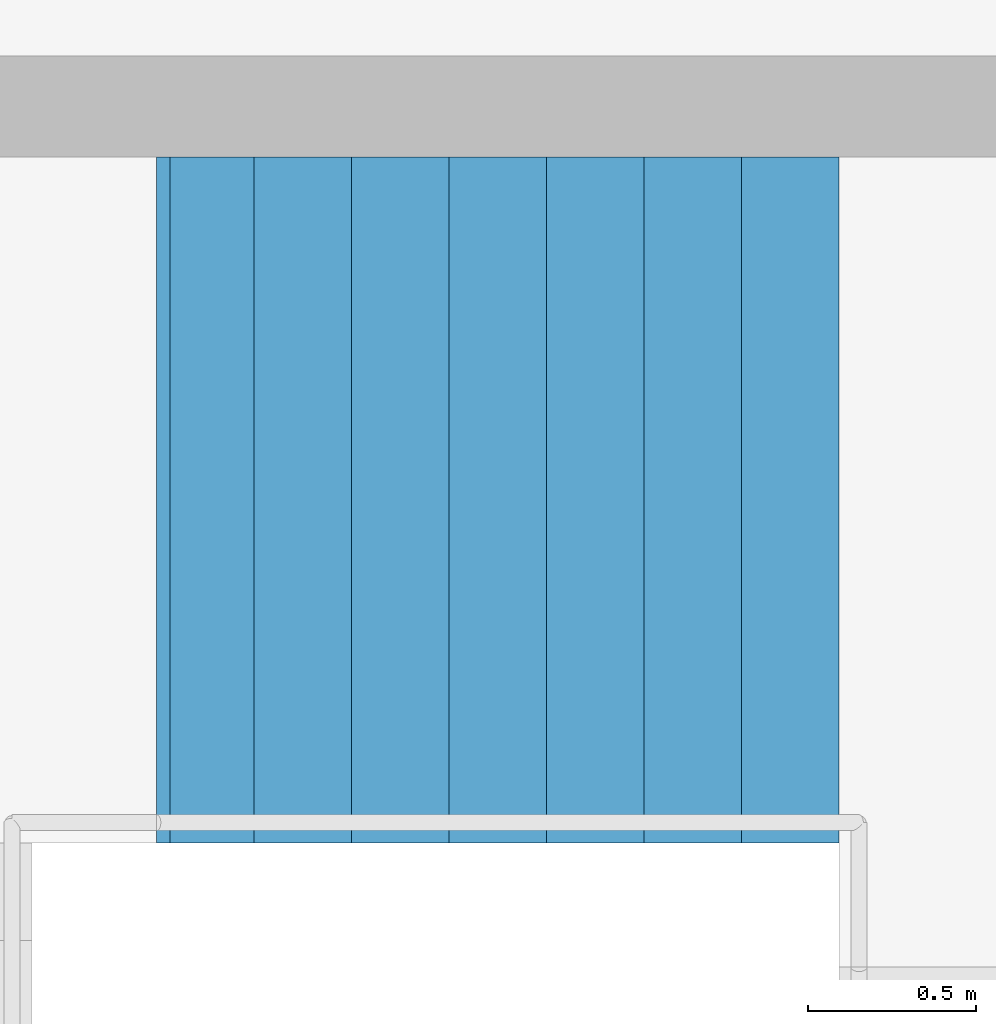
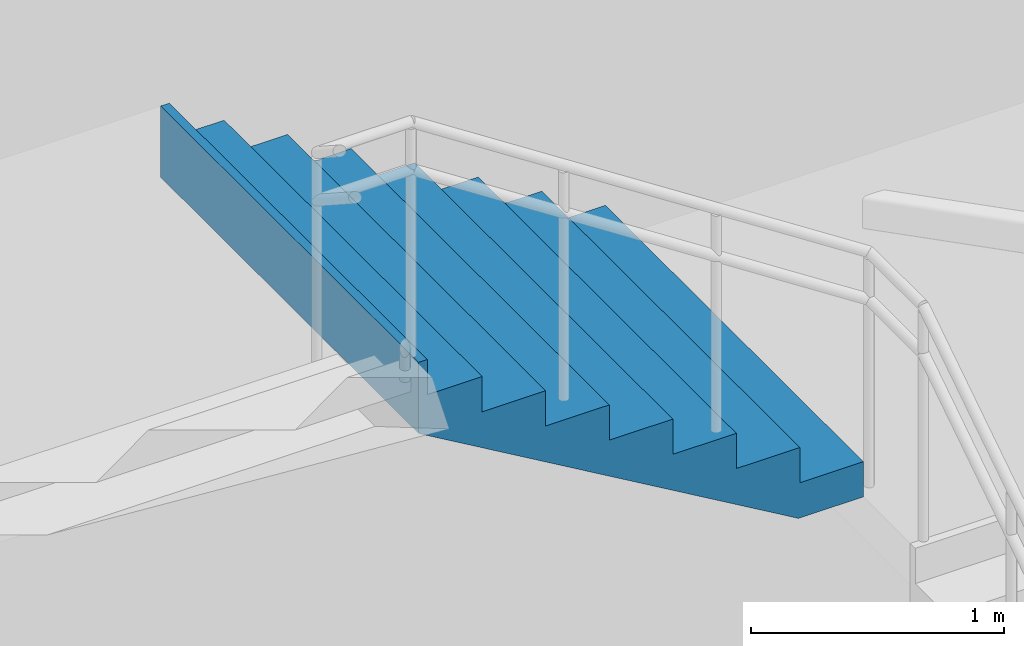
# One storey, part 38 of 50: 1 stair flight, 1 element without a shape of its own.
"""IFC4 building model written with IfcOpenShell, lengths in metres."""

from ifc_helpers import new_model, si_unit, direction, frame, origin, place, context, subcontext, project, spatial, triangles, material, type_object, element, aggregate, save


model = new_model("IFC4")

# Units and contexts
model_context = context("Model", 3, precision=1e-05, world=origin(), true_north=direction((0.0, 1.0)))
body_context = subcontext(model_context, "Body", "Model", "MODEL_VIEW")
ifc_project = project(units=[si_unit("LENGTHUNIT", "METRE"), si_unit("AREAUNIT", "SQUARE_METRE"), si_unit("VOLUMEUNIT", "CUBIC_METRE"), si_unit("PLANEANGLEUNIT", "RADIAN"), si_unit("MASSUNIT", "GRAM", prefix="KILO")], contexts=[model_context])

# Site, building, storey
site_placement = place(None, origin())
site = spatial("IfcSite", under=ifc_project, at=site_placement, CompositionType="ELEMENT")
building_placement = place(site_placement, origin())
building = spatial("IfcBuilding", under=site, at=building_placement, Name="Sillaruma Civic Art Gallery", CompositionType="ELEMENT")
storey_placement = place(building_placement, origin())
storey = spatial("IfcBuildingStorey", under=building, at=storey_placement, Name="L00", CompositionType="ELEMENT", Elevation=0.0)

# Stair, stair flight
ifc_material = material(Name="Concrete H35 (35 MPa)", Category="concrete")
stair_type = type_object("IfcStairType", Name="STR-4F-32", PredefinedType="USERDEFINED", material=ifc_material)
stair_placement = place(storey_placement, origin())
stair = element("IfcStair", 1, at=stair_placement, inside=storey, type_object=stair_type, Name="Protected Exit Stair ST-01 (West Wing) (L00)", ObjectType="THREE_RETURN_STAIR", PredefinedType="USERDEFINED")
stair_flight_type = type_object("IfcStairFlightType", Name="SFL-STR-8", PredefinedType="STRAIGHT", material=ifc_material)
stair_flight_placement = place(storey_placement, frame((30.0, 106.159912109375, 2.719970703125), z_axis=(0.0, 0.0, 1.0), x_axis=(-1.0, 0.0, 0.0)))
stair_flight = element("IfcStairFlight", 2, at=stair_flight_placement, type_object=stair_flight_type, Name="ST-01 flight 3", NumberOfRisers=8, NumberOfTreads=7, PredefinedType="STRAIGHT", RiserHeight=0.17, TreadLength=0.29, context=body_context, shape_type="Tessellation", body=[
    triangles([(0.0, -1.02001953125, 0.0), (0.29, -1.02001953125, 0.0), (0.296443, -1.02001953125, 0.0), (0.58, -1.02001953125, 0.166223), (0.87, -1.02001953125, 0.336223), (1.16, -1.02001953125, 0.506223), (1.45, -1.02001953125, 0.676223), (1.74, -1.02001953125, 0.846223), (1.990029, -1.02001953125, 0.992792), (2.030029, -1.02001953125, 1.01624), (2.030029, -1.02001953125, 1.36), (1.990029, -1.02001953125, 1.36), (1.990029, -1.02001953125, 1.19), (1.74, -1.02001953125, 1.19), (1.74, -1.02001953125, 1.02), (1.45, -1.02001953125, 1.02), (1.45, -1.02001953125, 0.85), (1.16, -1.02001953125, 0.85), (1.16, -1.02001953125, 0.68), (0.87, -1.02001953125, 0.68), (0.87, -1.02001953125, 0.51), (0.58, -1.02001953125, 0.51), (0.58, -1.02001953125, 0.34), (0.296443, -1.02001953125, 0.34), (0.29, -1.02001953125, 0.34), (0.29, -1.02001953125, 0.17), (0.0, -1.02001953125, 0.17), (0.0, -0.05, 0.0), (0.29, -0.05, 0.0), (0.296443, -0.05, 0.0), (0.58, -0.05, 0.166223), (0.87, -0.05, 0.336223), (1.16, -0.05, 0.506223), (1.45, -0.05, 0.676223), (1.74, -0.05, 0.846223), (1.990029, -0.05, 0.992792), (2.030029, -0.05, 1.01624), (2.030029, -0.05, 1.36), (1.990029, -0.05, 1.36), (1.990029, -0.05, 1.19), (1.74, -0.05, 1.19), (1.74, -0.05, 1.02), (1.45, -0.05, 1.02), (1.45, -0.05, 0.85), (1.16, -0.05, 0.85), (1.16, -0.05, 0.68), (0.87, -0.05, 0.68), (0.87, -0.05, 0.51), (0.58, -0.05, 0.51), (0.58, -0.05, 0.34), (0.296443, -0.05, 0.34), (0.29, -0.05, 0.34), (0.29, -0.05, 0.17), (0.0, -0.05, 0.17), (0.0, -0.0375, 0.0), (0.29, -0.0375, 0.0), (0.296443, -0.0375, 0.0), (0.58, -0.0375, 0.166223), (0.87, -0.0375, 0.336223), (1.16, -0.0375, 0.506223), (1.45, -0.0375, 0.676223), (1.74, -0.0375, 0.846223), (1.990029, -0.0375, 0.992792), (2.030029, -0.0375, 1.01624), (2.030029, -0.0375, 1.36), (1.990029, -0.0375, 1.36), (1.990029, -0.0375, 1.19), (1.74, -0.0375, 1.19), (1.74, -0.0375, 1.02), (1.45, -0.0375, 1.02), (1.45, -0.0375, 0.85), (1.16, -0.0375, 0.85), (1.16, -0.0375, 0.68), (0.87, -0.0375, 0.68), (0.87, -0.0375, 0.51), (0.58, -0.0375, 0.51), (0.58, -0.0375, 0.34), (0.296443, -0.0375, 0.34), (0.29, -0.0375, 0.34), (0.29, -0.0375, 0.17), (0.0, -0.0375, 0.17), (0.0, -0.025, 0.0), (0.29, -0.025, 0.0), (0.296443, -0.025, 0.0), (0.58, -0.025, 0.166223), (0.87, -0.025, 0.336223), (1.16, -0.025, 0.506223), (1.45, -0.025, 0.676223), (1.74, -0.025, 0.846223), (1.990029, -0.025, 0.992792), (2.030029, -0.025, 1.01624), (2.030029, -0.025, 1.36), (1.990029, -0.025, 1.36), (1.990029, -0.025, 1.19), (1.74, -0.025, 1.19), (1.74, -0.025, 1.02), (1.45, -0.025, 1.02), (1.45, -0.025, 0.85), (1.16, -0.025, 0.85), (1.16, -0.025, 0.68), (0.87, -0.025, 0.68), (0.87, -0.025, 0.51), (0.58, -0.025, 0.51), (0.58, -0.025, 0.34), (0.296443, -0.025, 0.34), (0.29, -0.025, 0.34), (0.29, -0.025, 0.17), (0.0, -0.025, 0.17), (0.0, -0.0125, 0.0), (0.29, -0.0125, 0.0), (0.296443, -0.0125, 0.0), (0.58, -0.0125, 0.166223), (0.87, -0.0125, 0.336223), (1.16, -0.0125, 0.506223), (1.45, -0.0125, 0.676223), (1.74, -0.0125, 0.846223), (1.990029, -0.0125, 0.992792), (2.030029, -0.0125, 1.01624), (2.030029, -0.0125, 1.36), (1.990029, -0.0125, 1.36), (1.990029, -0.0125, 1.19), (1.74, -0.0125, 1.19), (1.74, -0.0125, 1.02), (1.45, -0.0125, 1.02), (1.45, -0.0125, 0.85), (1.16, -0.0125, 0.85), (1.16, -0.0125, 0.68), (0.87, -0.0125, 0.68), (0.87, -0.0125, 0.51), (0.58, -0.0125, 0.51), (0.58, -0.0125, 0.34), (0.296443, -0.0125, 0.34), (0.29, -0.0125, 0.34), (0.29, -0.0125, 0.17), (0.0, -0.0125, 0.17), (0.0, 0.0, 0.0), (0.29, 0.0, 0.0), (0.296443, 0.0, 0.0), (0.58, 0.0, 0.166223), (0.87, 0.0, 0.336223), (1.16, 0.0, 0.506223), (1.45, 0.0, 0.676223), (1.74, 0.0, 0.846223), (1.990029, 0.0, 0.992792), (2.030029, 0.0, 1.01624), (2.030029, 0.0, 1.36), (1.990029, 0.0, 1.36), (1.990029, 0.0, 1.19), (1.74, 0.0, 1.19), (1.74, 0.0, 1.02), (1.45, 0.0, 1.02), (1.45, 0.0, 0.85), (1.16, 0.0, 0.85), (1.16, 0.0, 0.68), (0.87, 0.0, 0.68), (0.87, 0.0, 0.51), (0.58, 0.0, 0.51), (0.58, 0.0, 0.34), (0.296443, 0.0, 0.34), (0.29, 0.0, 0.34), (0.29, 0.0, 0.17), (0.0, 0.0, 0.17), (0.0, 0.0125, 0.0), (0.29, 0.0125, 0.0), (0.296443, 0.0125, 0.0), (0.58, 0.0125, 0.166223), (0.87, 0.0125, 0.336223), (1.16, 0.0125, 0.506223), (1.45, 0.0125, 0.676223), (1.74, 0.0125, 0.846223), (1.990029, 0.0125, 0.992792), (2.030029, 0.0125, 1.01624), (2.030029, 0.0125, 1.36), (1.990029, 0.0125, 1.36), (1.990029, 0.0125, 1.19), (1.74, 0.0125, 1.19), (1.74, 0.0125, 1.02), (1.45, 0.0125, 1.02), (1.45, 0.0125, 0.85), (1.16, 0.0125, 0.85), (1.16, 0.0125, 0.68), (0.87, 0.0125, 0.68), (0.87, 0.0125, 0.51), (0.58, 0.0125, 0.51), (0.58, 0.0125, 0.34), (0.296443, 0.0125, 0.34), (0.29, 0.0125, 0.34), (0.29, 0.0125, 0.17), (0.0, 0.0125, 0.17), (0.0, 0.025, 0.0), (0.29, 0.025, 0.0), (0.296443, 0.025, 0.0), (0.58, 0.025, 0.166223), (0.87, 0.025, 0.336223), (1.16, 0.025, 0.506223), (1.45, 0.025, 0.676223), (1.74, 0.025, 0.846223), (1.990029, 0.025, 0.992792), (2.030029, 0.025, 1.01624), (2.030029, 0.025, 1.36), (1.990029, 0.025, 1.36), (1.990029, 0.025, 1.19), (1.74, 0.025, 1.19), (1.74, 0.025, 1.02), (1.45, 0.025, 1.02), (1.45, 0.025, 0.85), (1.16, 0.025, 0.85), (1.16, 0.025, 0.68), (0.87, 0.025, 0.68), (0.87, 0.025, 0.51), (0.58, 0.025, 0.51), (0.58, 0.025, 0.34), (0.296443, 0.025, 0.34), (0.29, 0.025, 0.34), (0.29, 0.025, 0.17), (0.0, 0.025, 0.17), (0.0, 0.0375, 0.0), (0.29, 0.0375, 0.0), (0.296443, 0.0375, 0.0), (0.58, 0.0375, 0.166223), (0.87, 0.0375, 0.336223), (1.16, 0.0375, 0.506223), (1.45, 0.0375, 0.676223), (1.74, 0.0375, 0.846223), (1.990029, 0.0375, 0.992792), (2.030029, 0.0375, 1.01624), (2.030029, 0.0375, 1.36), (1.990029, 0.0375, 1.36), (1.990029, 0.0375, 1.19), (1.74, 0.0375, 1.19), (1.74, 0.0375, 1.02), (1.45, 0.0375, 1.02), (1.45, 0.0375, 0.85), (1.16, 0.0375, 0.85), (1.16, 0.0375, 0.68), (0.87, 0.0375, 0.68), (0.87, 0.0375, 0.51), (0.58, 0.0375, 0.51), (0.58, 0.0375, 0.34), (0.296443, 0.0375, 0.34), (0.29, 0.0375, 0.34), (0.29, 0.0375, 0.17), (0.0, 0.0375, 0.17), (0.0, 0.05, 0.0), (0.29, 0.05, 0.0), (0.296443, 0.05, 0.0), (0.58, 0.05, 0.166223), (0.87, 0.05, 0.336223), (1.16, 0.05, 0.506223), (1.45, 0.05, 0.676223), (1.74, 0.05, 0.846223), (1.990029, 0.05, 0.992792), (2.030029, 0.05, 1.01624), (2.030029, 0.05, 1.36), (1.990029, 0.05, 1.36), (1.990029, 0.05, 1.19), (1.74, 0.05, 1.19), (1.74, 0.05, 1.02), (1.45, 0.05, 1.02), (1.45, 0.05, 0.85), (1.16, 0.05, 0.85), (1.16, 0.05, 0.68), (0.87, 0.05, 0.68), (0.87, 0.05, 0.51), (0.58, 0.05, 0.51), (0.58, 0.05, 0.34), (0.296443, 0.05, 0.34), (0.29, 0.05, 0.34), (0.29, 0.05, 0.17), (0.0, 0.05, 0.17), (0.0, 1.02001953125, 0.0), (0.29, 1.02001953125, 0.0), (0.296443, 1.02001953125, 0.0), (0.58, 1.02001953125, 0.166223), (0.87, 1.02001953125, 0.336223), (1.16, 1.02001953125, 0.506223), (1.45, 1.02001953125, 0.676223), (1.74, 1.02001953125, 0.846223), (1.990029, 1.02001953125, 0.992792), (2.030029, 1.02001953125, 1.01624), (2.030029, 1.02001953125, 1.36), (1.990029, 1.02001953125, 1.36), (1.990029, 1.02001953125, 1.19), (1.74, 1.02001953125, 1.19), (1.74, 1.02001953125, 1.02), (1.45, 1.02001953125, 1.02), (1.45, 1.02001953125, 0.85), (1.16, 1.02001953125, 0.85), (1.16, 1.02001953125, 0.68), (0.87, 1.02001953125, 0.68), (0.87, 1.02001953125, 0.51), (0.58, 1.02001953125, 0.51), (0.58, 1.02001953125, 0.34), (0.296443, 1.02001953125, 0.34), (0.29, 1.02001953125, 0.34), (0.29, 1.02001953125, 0.17), (0.0, 1.02001953125, 0.17)], [[1, 2, 26], [1, 26, 27], [2, 3, 24], [2, 24, 26], [26, 24, 25], [3, 4, 23], [3, 23, 24], [4, 5, 21], [4, 21, 23], [23, 21, 22], [5, 6, 19], [5, 19, 21], [21, 19, 20], [6, 7, 17], [6, 17, 19], [19, 17, 18], [7, 8, 15], [7, 15, 17], [17, 15, 16], [8, 9, 13], [8, 13, 15], [15, 13, 14], [9, 10, 11], [9, 11, 13], [13, 11, 12], [296, 272, 271], [297, 296, 271], [294, 273, 272], [296, 294, 272], [295, 294, 296], [293, 274, 273], [294, 293, 273], [291, 275, 274], [293, 291, 274], [292, 291, 293], [289, 276, 275], [291, 289, 275], [290, 289, 291], [287, 277, 276], [289, 287, 276], [288, 287, 289], [285, 278, 277], [287, 285, 277], [286, 285, 287], [283, 279, 278], [285, 283, 278], [284, 283, 285], [281, 280, 279], [283, 281, 279], [282, 281, 283], [2, 1, 28], [2, 28, 29], [3, 2, 29], [3, 29, 30], [4, 3, 30], [4, 30, 31], [5, 4, 31], [5, 31, 32], [6, 5, 32], [6, 32, 33], [7, 6, 33], [7, 33, 34], [8, 7, 34], [8, 34, 35], [9, 8, 35], [9, 35, 36], [10, 9, 36], [10, 36, 37], [11, 10, 37], [11, 37, 38], [12, 11, 38], [12, 38, 39], [13, 12, 39], [13, 39, 40], [14, 13, 40], [14, 40, 41], [15, 14, 41], [15, 41, 42], [16, 15, 42], [16, 42, 43], [17, 16, 43], [17, 43, 44], [18, 17, 44], [18, 44, 45], [19, 18, 45], [19, 45, 46], [20, 19, 46], [20, 46, 47], [21, 20, 47], [21, 47, 48], [22, 21, 48], [22, 48, 49], [23, 22, 49], [23, 49, 50], [24, 23, 50], [24, 50, 51], [25, 24, 51], [25, 51, 52], [26, 25, 52], [26, 52, 53], [27, 26, 53], [27, 53, 54], [1, 27, 54], [1, 54, 28], [29, 28, 55], [29, 55, 56], [30, 29, 56], [30, 56, 57], [31, 30, 57], [31, 57, 58], [32, 31, 58], [32, 58, 59], [33, 32, 59], [33, 59, 60], [34, 33, 60], [34, 60, 61], [35, 34, 61], [35, 61, 62], [36, 35, 62], [36, 62, 63], [37, 36, 63], [37, 63, 64], [38, 37, 64], [38, 64, 65], [39, 38, 65], [39, 65, 66], [40, 39, 66], [40, 66, 67], [41, 40, 67], [41, 67, 68], [42, 41, 68], [42, 68, 69], [43, 42, 69], [43, 69, 70], [44, 43, 70], [44, 70, 71], [45, 44, 71], [45, 71, 72], [46, 45, 72], [46, 72, 73], [47, 46, 73], [47, 73, 74], [48, 47, 74], [48, 74, 75], [49, 48, 75], [49, 75, 76], [50, 49, 76], [50, 76, 77], [51, 50, 77], [51, 77, 78], [52, 51, 78], [52, 78, 79], [53, 52, 79], [53, 79, 80], [54, 53, 80], [54, 80, 81], [28, 54, 81], [28, 81, 55], [56, 55, 82], [56, 82, 83], [57, 56, 83], [57, 83, 84], [58, 57, 84], [58, 84, 85], [59, 58, 85], [59, 85, 86], [60, 59, 86], [60, 86, 87], [61, 60, 87], [61, 87, 88], [62, 61, 88], [62, 88, 89], [63, 62, 89], [63, 89, 90], [64, 63, 90], [64, 90, 91], [65, 64, 91], [65, 91, 92], [66, 65, 92], [66, 92, 93], [67, 66, 93], [67, 93, 94], [68, 67, 94], [68, 94, 95], [69, 68, 95], [69, 95, 96], [70, 69, 96], [70, 96, 97], [71, 70, 97], [71, 97, 98], [72, 71, 98], [72, 98, 99], [73, 72, 99], [73, 99, 100], [74, 73, 100], [74, 100, 101], [75, 74, 101], [75, 101, 102], [76, 75, 102], [76, 102, 103], [77, 76, 103], [77, 103, 104], [78, 77, 104], [78, 104, 105], [79, 78, 105], [79, 105, 106], [80, 79, 106], [80, 106, 107], [81, 80, 107], [81, 107, 108], [55, 81, 108], [55, 108, 82], [83, 82, 109], [83, 109, 110], [84, 83, 110], [84, 110, 111], [85, 84, 111], [85, 111, 112], [86, 85, 112], [86, 112, 113], [87, 86, 113], [87, 113, 114], [88, 87, 114], [88, 114, 115], [89, 88, 115], [89, 115, 116], [90, 89, 116], [90, 116, 117], [91, 90, 117], [91, 117, 118], [92, 91, 118], [92, 118, 119], [93, 92, 119], [93, 119, 120], [94, 93, 120], [94, 120, 121], [95, 94, 121], [95, 121, 122], [96, 95, 122], [96, 122, 123], [97, 96, 123], [97, 123, 124], [98, 97, 124], [98, 124, 125], [99, 98, 125], [99, 125, 126], [100, 99, 126], [100, 126, 127], [101, 100, 127], [101, 127, 128], [102, 101, 128], [102, 128, 129], [103, 102, 129], [103, 129, 130], [104, 103, 130], [104, 130, 131], [105, 104, 131], [105, 131, 132], [106, 105, 132], [106, 132, 133], [107, 106, 133], [107, 133, 134], [108, 107, 134], [108, 134, 135], [82, 108, 135], [82, 135, 109], [110, 109, 136], [110, 136, 137], [111, 110, 137], [111, 137, 138], [112, 111, 138], [112, 138, 139], [113, 112, 139], [113, 139, 140], [114, 113, 140], [114, 140, 141], [115, 114, 141], [115, 141, 142], [116, 115, 142], [116, 142, 143], [117, 116, 143], [117, 143, 144], [118, 117, 144], [118, 144, 145], [119, 118, 145], [119, 145, 146], [120, 119, 146], [120, 146, 147], [121, 120, 147], [121, 147, 148], [122, 121, 148], [122, 148, 149], [123, 122, 149], [123, 149, 150], [124, 123, 150], [124, 150, 151], [125, 124, 151], [125, 151, 152], [126, 125, 152], [126, 152, 153], [127, 126, 153], [127, 153, 154], [128, 127, 154], [128, 154, 155], [129, 128, 155], [129, 155, 156], [130, 129, 156], [130, 156, 157], [131, 130, 157], [131, 157, 158], [132, 131, 158], [132, 158, 159], [133, 132, 159], [133, 159, 160], [134, 133, 160], [134, 160, 161], [135, 134, 161], [135, 161, 162], [109, 135, 162], [109, 162, 136], [137, 136, 163], [137, 163, 164], [138, 137, 164], [138, 164, 165], [139, 138, 165], [139, 165, 166], [140, 139, 166], [140, 166, 167], [141, 140, 167], [141, 167, 168], [142, 141, 168], [142, 168, 169], [143, 142, 169], [143, 169, 170], [144, 143, 170], [144, 170, 171], [145, 144, 171], [145, 171, 172], [146, 145, 172], [146, 172, 173], [147, 146, 173], [147, 173, 174], [148, 147, 174], [148, 174, 175], [149, 148, 175], [149, 175, 176], [150, 149, 176], [150, 176, 177], [151, 150, 177], [151, 177, 178], [152, 151, 178], [152, 178, 179], [153, 152, 179], [153, 179, 180], [154, 153, 180], [154, 180, 181], [155, 154, 181], [155, 181, 182], [156, 155, 182], [156, 182, 183], [157, 156, 183], [157, 183, 184], [158, 157, 184], [158, 184, 185], [159, 158, 185], [159, 185, 186], [160, 159, 186], [160, 186, 187], [161, 160, 187], [161, 187, 188], [162, 161, 188], [162, 188, 189], [136, 162, 189], [136, 189, 163], [164, 163, 190], [164, 190, 191], [165, 164, 191], [165, 191, 192], [166, 165, 192], [166, 192, 193], [167, 166, 193], [167, 193, 194], [168, 167, 194], [168, 194, 195], [169, 168, 195], [169, 195, 196], [170, 169, 196], [170, 196, 197], [171, 170, 197], [171, 197, 198], [172, 171, 198], [172, 198, 199], [173, 172, 199], [173, 199, 200], [174, 173, 200], [174, 200, 201], [175, 174, 201], [175, 201, 202], [176, 175, 202], [176, 202, 203], [177, 176, 203], [177, 203, 204], [178, 177, 204], [178, 204, 205], [179, 178, 205], [179, 205, 206], [180, 179, 206], [180, 206, 207], [181, 180, 207], [181, 207, 208], [182, 181, 208], [182, 208, 209], [183, 182, 209], [183, 209, 210], [184, 183, 210], [184, 210, 211], [185, 184, 211], [185, 211, 212], [186, 185, 212], [186, 212, 213], [187, 186, 213], [187, 213, 214], [188, 187, 214], [188, 214, 215], [189, 188, 215], [189, 215, 216], [163, 189, 216], [163, 216, 190], [191, 190, 217], [191, 217, 218], [192, 191, 218], [192, 218, 219], [193, 192, 219], [193, 219, 220], [194, 193, 220], [194, 220, 221], [195, 194, 221], [195, 221, 222], [196, 195, 222], [196, 222, 223], [197, 196, 223], [197, 223, 224], [198, 197, 224], [198, 224, 225], [199, 198, 225], [199, 225, 226], [200, 199, 226], [200, 226, 227], [201, 200, 227], [201, 227, 228], [202, 201, 228], [202, 228, 229], [203, 202, 229], [203, 229, 230], [204, 203, 230], [204, 230, 231], [205, 204, 231], [205, 231, 232], [206, 205, 232], [206, 232, 233], [207, 206, 233], [207, 233, 234], [208, 207, 234], [208, 234, 235], [209, 208, 235], [209, 235, 236], [210, 209, 236], [210, 236, 237], [211, 210, 237], [211, 237, 238], [212, 211, 238], [212, 238, 239], [213, 212, 239], [213, 239, 240], [214, 213, 240], [214, 240, 241], [215, 214, 241], [215, 241, 242], [216, 215, 242], [216, 242, 243], [190, 216, 243], [190, 243, 217], [218, 217, 244], [218, 244, 245], [219, 218, 245], [219, 245, 246], [220, 219, 246], [220, 246, 247], [221, 220, 247], [221, 247, 248], [222, 221, 248], [222, 248, 249], [223, 222, 249], [223, 249, 250], [224, 223, 250], [224, 250, 251], [225, 224, 251], [225, 251, 252], [226, 225, 252], [226, 252, 253], [227, 226, 253], [227, 253, 254], [228, 227, 254], [228, 254, 255], [229, 228, 255], [229, 255, 256], [230, 229, 256], [230, 256, 257], [231, 230, 257], [231, 257, 258], [232, 231, 258], [232, 258, 259], [233, 232, 259], [233, 259, 260], [234, 233, 260], [234, 260, 261], [235, 234, 261], [235, 261, 262], [236, 235, 262], [236, 262, 263], [237, 236, 263], [237, 263, 264], [238, 237, 264], [238, 264, 265], [239, 238, 265], [239, 265, 266], [240, 239, 266], [240, 266, 267], [241, 240, 267], [241, 267, 268], [242, 241, 268], [242, 268, 269], [243, 242, 269], [243, 269, 270], [217, 243, 270], [217, 270, 244], [245, 244, 271], [245, 271, 272], [246, 245, 272], [246, 272, 273], [247, 246, 273], [247, 273, 274], [248, 247, 274], [248, 274, 275], [249, 248, 275], [249, 275, 276], [250, 249, 276], [250, 276, 277], [251, 250, 277], [251, 277, 278], [252, 251, 278], [252, 278, 279], [253, 252, 279], [253, 279, 280], [254, 253, 280], [254, 280, 281], [255, 254, 281], [255, 281, 282], [256, 255, 282], [256, 282, 283], [257, 256, 283], [257, 283, 284], [258, 257, 284], [258, 284, 285], [259, 258, 285], [259, 285, 286], [260, 259, 286], [260, 286, 287], [261, 260, 287], [261, 287, 288], [262, 261, 288], [262, 288, 289], [263, 262, 289], [263, 289, 290], [264, 263, 290], [264, 290, 291], [265, 264, 291], [265, 291, 292], [266, 265, 292], [266, 292, 293], [267, 266, 293], [267, 293, 294], [268, 267, 294], [268, 294, 295], [269, 268, 295], [269, 295, 296], [270, 269, 296], [270, 296, 297], [244, 270, 297], [244, 297, 271]], closed=True),
])
aggregate(stair, [stair_flight])

save(model, "model.ifc")
